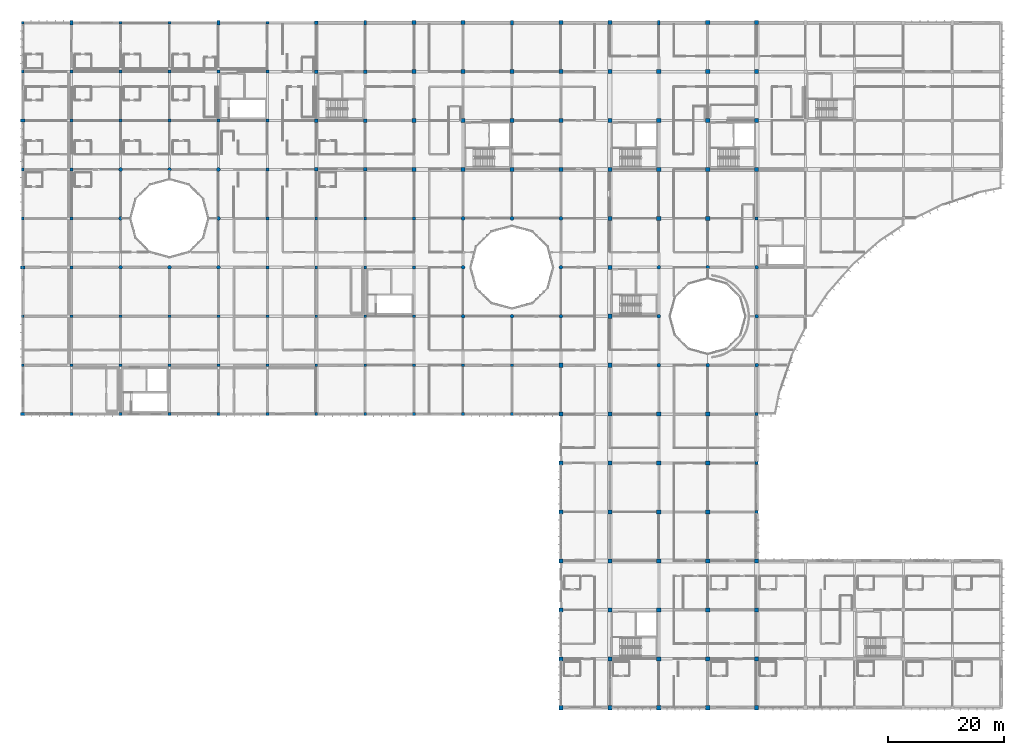
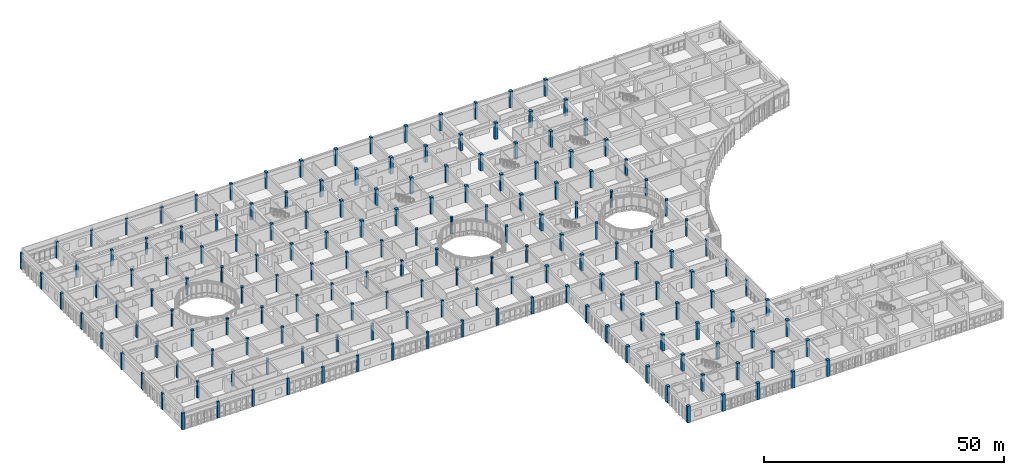
# One storey, part 1 of 119: 171 columns.
"""IFC4 building model written with IfcOpenShell, lengths in metres."""

from ifc_helpers import new_model, si_unit, direction, frame, origin, origin_2d, place, context, subcontext, project, spatial, rectangle, circle, extrude, material, material_profile, profile_set, type_object, element, save


model = new_model("IFC4")

# Units and contexts
model_context = context("Model", 3, precision=1e-05, world=origin(), true_north=direction((0.0, 1.0)))
body_context = subcontext(model_context, "Body", "Model", "MODEL_VIEW")
ifc_project = project(units=[si_unit("LENGTHUNIT", "METRE"), si_unit("AREAUNIT", "SQUARE_METRE"), si_unit("VOLUMEUNIT", "CUBIC_METRE"), si_unit("PLANEANGLEUNIT", "RADIAN"), si_unit("MASSUNIT", "GRAM", prefix="KILO")], contexts=[model_context])

# Site, building, storey
site_placement = place(None, origin())
site = spatial("IfcSite", under=ifc_project, at=site_placement, CompositionType="ELEMENT")
building_placement = place(site_placement, origin())
building = spatial("IfcBuilding", under=site, at=building_placement, Name="Bramfleet General Hospital", CompositionType="ELEMENT")
storey_placement = place(building_placement, frame((0.0, 0.0, 14.39990234375)))
storey = spatial("IfcBuildingStorey", under=building, at=storey_placement, Name="L03", CompositionType="ELEMENT", Elevation=14.39990234375)

# Columns
ifc_material = material(Name="Concrete C40/50", Category="concrete")
ifc_material_profile_1 = material_profile(ifc_material, rectangle(XDim=0.5, YDim=0.75, at=origin_2d()), Name="RC PIL 750x500")
ifc_profile_set_1 = profile_set([ifc_material_profile_1], Name="Concrete C40/50")
column_type_1 = type_object("IfcColumnType", Name="COL-PIL750", PredefinedType="PILASTER", material=ifc_profile_set_1)
for number, where, z_axis, x_axis, name in (
    (1, (0.0, 50.39990234375, 0.0), (0.0, 0.0, 1.0), (0.0, 1.0, 0.0), "Column COL-L03-00-06"),
    (2, (0.0, 75.60009765625, 0.0), (0.0, 0.0, 1.0), (0.0, 1.0, 0.0), "Column COL-L03-00-09"),
    (3, (0.0, 100.800048828125, 0.0), (0.0, 0.0, 1.0), (0.0, 1.0, 0.0), "Column COL-L03-00-12"),
    (4, (8.39990234375, 117.60009765625, 0.0), (0.0, 0.0, 1.0), (1.0, 0.0, 0.0), "Column COL-L03-01-14"),
    (5, (33.60009765625, 117.60009765625, 0.0), (0.0, 0.0, 1.0), (1.0, 0.0, 0.0), "Column COL-L03-04-14"),
    (6, (58.800048828125, 117.60009765625, 0.0), (0.0, 0.0, 1.0), (1.0, 0.0, 0.0), "Column COL-L03-07-14"),
    (7, (84.0, 117.60009765625, 0.0), (0.0, 0.0, 1.0), (1.0, 0.0, 0.0), "Column COL-L03-10-14"),
    (8, (109.199951171875, 117.60009765625, 0.0), (0.0, 0.0, 1.0), (1.0, 0.0, 0.0), "Column COL-L03-13-14"),
):
    element("IfcColumn", number, at=place(storey_placement, frame(where, z_axis=z_axis, x_axis=x_axis)), inside=storey, type_object=column_type_1, Name=name, PredefinedType="PILASTER", context=body_context, shape_type="SweptSolid", body=[
        extrude(rectangle(XDim=0.5, YDim=0.75, at=origin_2d()), origin(), (0.0, 0.0, 1.0), 4.2001953125),
    ])
ifc_material_profile_2 = material_profile(ifc_material, rectangle(XDim=0.5, YDim=0.5, at=origin_2d()), Name="RC COL 500x500")
ifc_profile_set_2 = profile_set([ifc_material_profile_2], Name="Concrete C40/50")
column_type_2 = type_object("IfcColumnType", Name="COL-RC500", PredefinedType="COLUMN", material=ifc_profile_set_2)
for number, where, z_axis, x_axis, name in (
    (9, (0.0, 58.800048828125, 0.0), (0.0, 0.0, 1.0), (1.0, 0.0, 0.0), "Column COL-L03-00-07"),
    (10, (0.0, 67.199951171875, 0.0), (0.0, 0.0, 1.0), (1.0, 0.0, 0.0), "Column COL-L03-00-08"),
    (11, (0.0, 84.0, 0.0), (0.0, 0.0, 1.0), (1.0, 0.0, 0.0), "Column COL-L03-00-10"),
    (12, (0.0, 92.39990234375, 0.0), (0.0, 0.0, 1.0), (1.0, 0.0, 0.0), "Column COL-L03-00-11"),
    (13, (0.0, 109.199951171875, 0.0), (0.0, 0.0, 1.0), (1.0, 0.0, 0.0), "Column COL-L03-00-13"),
    (14, (0.0, 117.60009765625, 0.0), (0.0, 0.0, 1.0), (1.0, 0.0, 0.0), "Column COL-L03-00-14"),
    (15, (8.39990234375, 50.39990234375, 0.0), (0.0, 0.0, 1.0), (1.0, 0.0, 0.0), "Column COL-L03-01-06"),
    (16, (8.39990234375, 58.800048828125, 0.0), (0.0, 0.0, 1.0), (1.0, 0.0, 0.0), "Column COL-L03-01-07"),
    (17, (8.39990234375, 67.199951171875, 0.0), (0.0, 0.0, 1.0), (1.0, 0.0, 0.0), "Column COL-L03-01-08"),
    (18, (8.39990234375, 75.60009765625, 0.0), (0.0, 0.0, 1.0), (1.0, 0.0, 0.0), "Column COL-L03-01-09"),
    (19, (8.39990234375, 84.0, 0.0), (0.0, 0.0, 1.0), (1.0, 0.0, 0.0), "Column COL-L03-01-10"),
    (20, (8.39990234375, 92.39990234375, 0.0), (0.0, 0.0, 1.0), (1.0, 0.0, 0.0), "Column COL-L03-01-11"),
    (21, (8.39990234375, 100.800048828125, 0.0), (0.0, 0.0, 1.0), (1.0, 0.0, 0.0), "Column COL-L03-01-12"),
    (22, (8.39990234375, 109.199951171875, 0.0), (0.0, 0.0, 1.0), (1.0, 0.0, 0.0), "Column COL-L03-01-13"),
    (23, (16.800048828125, 50.39990234375, 0.0), (0.0, 0.0, 1.0), (1.0, 0.0, 0.0), "Column COL-L03-02-06"),
    (24, (16.800048828125, 58.800048828125, 0.0), (0.0, 0.0, 1.0), (1.0, 0.0, 0.0), "Column COL-L03-02-07"),
    (25, (16.800048828125, 67.199951171875, 0.0), (0.0, 0.0, 1.0), (1.0, 0.0, 0.0), "Column COL-L03-02-08"),
    (26, (16.800048828125, 100.800048828125, 0.0), (0.0, 0.0, 1.0), (1.0, 0.0, 0.0), "Column COL-L03-02-12"),
    (27, (16.800048828125, 109.199951171875, 0.0), (0.0, 0.0, 1.0), (1.0, 0.0, 0.0), "Column COL-L03-02-13"),
    (28, (16.800048828125, 117.60009765625, 0.0), (0.0, 0.0, 1.0), (1.0, 0.0, 0.0), "Column COL-L03-02-14"),
    (29, (25.199951171875, 50.39990234375, 0.0), (0.0, 0.0, 1.0), (1.0, 0.0, 0.0), "Column COL-L03-03-06"),
    (30, (25.199951171875, 58.800048828125, 0.0), (0.0, 0.0, 1.0), (1.0, 0.0, 0.0), "Column COL-L03-03-07"),
    (31, (25.199951171875, 67.199951171875, 0.0), (0.0, 0.0, 1.0), (1.0, 0.0, 0.0), "Column COL-L03-03-08"),
    (32, (25.199951171875, 100.800048828125, 0.0), (0.0, 0.0, 1.0), (1.0, 0.0, 0.0), "Column COL-L03-03-12"),
    (33, (25.199951171875, 109.199951171875, 0.0), (0.0, 0.0, 1.0), (1.0, 0.0, 0.0), "Column COL-L03-03-13"),
    (34, (25.199951171875, 117.60009765625, 0.0), (0.0, 0.0, 1.0), (1.0, 0.0, 0.0), "Column COL-L03-03-14"),
    (35, (33.60009765625, 50.39990234375, 0.0), (0.0, 0.0, 1.0), (1.0, 0.0, 0.0), "Column COL-L03-04-06"),
    (36, (33.60009765625, 58.800048828125, 0.0), (0.0, 0.0, 1.0), (1.0, 0.0, 0.0), "Column COL-L03-04-07"),
    (37, (33.60009765625, 67.199951171875, 0.0), (0.0, 0.0, 1.0), (1.0, 0.0, 0.0), "Column COL-L03-04-08"),
    (38, (33.60009765625, 100.800048828125, 0.0), (0.0, 0.0, 1.0), (1.0, 0.0, 0.0), "Column COL-L03-04-12"),
    (39, (33.60009765625, 109.199951171875, 0.0), (0.0, 0.0, 1.0), (1.0, 0.0, 0.0), "Column COL-L03-04-13"),
    (40, (42.0, 50.39990234375, 0.0), (0.0, 0.0, 1.0), (1.0, 0.0, 0.0), "Column COL-L03-05-06"),
    (41, (42.0, 58.800048828125, 0.0), (0.0, 0.0, 1.0), (1.0, 0.0, 0.0), "Column COL-L03-05-07"),
    (42, (42.0, 67.199951171875, 0.0), (0.0, 0.0, 1.0), (1.0, 0.0, 0.0), "Column COL-L03-05-08"),
    (43, (42.0, 75.60009765625, 0.0), (0.0, 0.0, 1.0), (1.0, 0.0, 0.0), "Column COL-L03-05-09"),
    (44, (42.0, 84.0, 0.0), (0.0, 0.0, 1.0), (1.0, 0.0, 0.0), "Column COL-L03-05-10"),
    (45, (42.0, 92.39990234375, 0.0), (0.0, 0.0, 1.0), (1.0, 0.0, 0.0), "Column COL-L03-05-11"),
    (46, (42.0, 100.800048828125, 0.0), (0.0, 0.0, 1.0), (1.0, 0.0, 0.0), "Column COL-L03-05-12"),
    (47, (42.0, 109.199951171875, 0.0), (0.0, 0.0, 1.0), (1.0, 0.0, 0.0), "Column COL-L03-05-13"),
    (48, (42.0, 117.60009765625, 0.0), (0.0, 0.0, 1.0), (1.0, 0.0, 0.0), "Column COL-L03-05-14"),
    (49, (50.39990234375, 50.39990234375, 0.0), (0.0, 0.0, 1.0), (1.0, 0.0, 0.0), "Column COL-L03-06-06"),
    (50, (50.39990234375, 58.800048828125, 0.0), (0.0, 0.0, 1.0), (1.0, 0.0, 0.0), "Column COL-L03-06-07"),
    (51, (50.39990234375, 67.199951171875, 0.0), (0.0, 0.0, 1.0), (1.0, 0.0, 0.0), "Column COL-L03-06-08"),
    (52, (50.39990234375, 75.60009765625, 0.0), (0.0, 0.0, 1.0), (1.0, 0.0, 0.0), "Column COL-L03-06-09"),
    (53, (50.39990234375, 84.0, 0.0), (0.0, 0.0, 1.0), (1.0, 0.0, 0.0), "Column COL-L03-06-10"),
    (54, (58.800048828125, 50.39990234375, 0.0), (0.0, 0.0, 1.0), (1.0, 0.0, 0.0), "Column COL-L03-07-06"),
    (55, (58.800048828125, 58.800048828125, 0.0), (0.0, 0.0, 1.0), (1.0, 0.0, 0.0), "Column COL-L03-07-07"),
    (56, (58.800048828125, 67.199951171875, 0.0), (0.0, 0.0, 1.0), (1.0, 0.0, 0.0), "Column COL-L03-07-08"),
    (57, (58.800048828125, 75.60009765625, 0.0), (0.0, 0.0, 1.0), (1.0, 0.0, 0.0), "Column COL-L03-07-09"),
    (58, (58.800048828125, 84.0, 0.0), (0.0, 0.0, 1.0), (1.0, 0.0, 0.0), "Column COL-L03-07-10"),
    (59, (67.199951171875, 50.39990234375, 0.0), (0.0, 0.0, 1.0), (1.0, 0.0, 0.0), "Column COL-L03-08-06"),
    (60, (67.199951171875, 58.800048828125, 0.0), (0.0, 0.0, 1.0), (1.0, 0.0, 0.0), "Column COL-L03-08-07"),
    (61, (67.199951171875, 67.199951171875, 0.0), (0.0, 0.0, 1.0), (1.0, 0.0, 0.0), "Column COL-L03-08-08"),
    (62, (67.199951171875, 75.60009765625, 0.0), (0.0, 0.0, 1.0), (1.0, 0.0, 0.0), "Column COL-L03-08-09"),
    (63, (67.199951171875, 84.0, 0.0), (0.0, 0.0, 1.0), (1.0, 0.0, 0.0), "Column COL-L03-08-10"),
    (64, (75.60009765625, 50.39990234375, 0.0), (0.0, 0.0, 1.0), (1.0, 0.0, 0.0), "Column COL-L03-09-06"),
    (65, (75.60009765625, 58.800048828125, 0.0), (0.0, 0.0, 1.0), (1.0, 0.0, 0.0), "Column COL-L03-09-07"),
    (66, (84.0, 50.39990234375, 0.0), (0.0, 0.0, 1.0), (1.0, 0.0, 0.0), "Column COL-L03-10-06"),
    (67, (84.0, 58.800048828125, 0.0), (0.0, 0.0, 1.0), (1.0, 0.0, 0.0), "Column COL-L03-10-07"),
    (68, (126.0, 33.60009765625, 0.0), (0.0, 0.0, 1.0), (1.0, 0.0, 0.0), "Column COL-L03-15-04"),
    (69, (126.0, 42.0, 0.0), (0.0, 0.0, 1.0), (1.0, 0.0, 0.0), "Column COL-L03-15-05"),
    (70, (126.0, 50.39990234375, 0.0), (0.0, 0.0, 1.0), (1.0, 0.0, 0.0), "Column COL-L03-15-06"),
    (71, (126.0, 84.0, 0.0), (0.0, 0.0, 1.0), (1.0, 0.0, 0.0), "Column COL-L03-15-10"),
):
    element("IfcColumn", number, at=place(storey_placement, frame(where, z_axis=z_axis, x_axis=x_axis)), inside=storey, type_object=column_type_2, Name=name, PredefinedType="COLUMN", context=body_context, shape_type="SweptSolid", body=[
        extrude(rectangle(XDim=0.5, YDim=0.5, at=origin_2d()), origin(), (0.0, 0.0, 1.0), 4.2001953125),
    ])
ifc_material_profile_3 = material_profile(ifc_material, rectangle(XDim=0.60009765625, YDim=0.60009765625, at=origin_2d()), Name="RC COL 600x600")
ifc_profile_set_3 = profile_set([ifc_material_profile_3], Name="Concrete C40/50")
column_type_3 = type_object("IfcColumnType", Name="COL-RC600", PredefinedType="COLUMN", material=ifc_profile_set_3)
for number, where, z_axis, x_axis, name in (
    (72, (50.39990234375, 92.39990234375, 0.0), (0.0, 0.0, 1.0), (1.0, 0.0, 0.0), "Column COL-L03-06-11"),
    (73, (50.39990234375, 100.800048828125, 0.0), (0.0, 0.0, 1.0), (1.0, 0.0, 0.0), "Column COL-L03-06-12"),
    (74, (50.39990234375, 109.199951171875, 0.0), (0.0, 0.0, 1.0), (1.0, 0.0, 0.0), "Column COL-L03-06-13"),
    (75, (50.39990234375, 117.60009765625, 0.0), (0.0, 0.0, 1.0), (1.0, 0.0, 0.0), "Column COL-L03-06-14"),
    (76, (58.800048828125, 92.39990234375, 0.0), (0.0, 0.0, 1.0), (1.0, 0.0, 0.0), "Column COL-L03-07-11"),
    (77, (58.800048828125, 100.800048828125, 0.0), (0.0, 0.0, 1.0), (1.0, 0.0, 0.0), "Column COL-L03-07-12"),
    (78, (58.800048828125, 109.199951171875, 0.0), (0.0, 0.0, 1.0), (1.0, 0.0, 0.0), "Column COL-L03-07-13"),
):
    element("IfcColumn", number, at=place(storey_placement, frame(where, z_axis=z_axis, x_axis=x_axis)), inside=storey, type_object=column_type_3, Name=name, PredefinedType="COLUMN", context=body_context, shape_type="SweptSolid", body=[
        extrude(rectangle(XDim=0.60009765625, YDim=0.60009765625, at=origin_2d()), origin(), (0.0, 0.0, 1.0), 4.2001953125),
    ])
ifc_material_profile_4 = material_profile(ifc_material, rectangle(XDim=0.699951171875, YDim=0.699951171875, at=origin_2d()), Name="RC COL 700x700")
ifc_profile_set_4 = profile_set([ifc_material_profile_4], Name="Concrete C40/50")
column_type_4 = type_object("IfcColumnType", Name="COL-RC700", PredefinedType="COLUMN", material=ifc_profile_set_4)
for number, where, z_axis, x_axis, name in (
    (79, (67.199951171875, 92.39990234375, 0.0), (0.0, 0.0, 1.0), (1.0, 0.0, 0.0), "Column COL-L03-08-11"),
    (80, (67.199951171875, 100.800048828125, 0.0), (0.0, 0.0, 1.0), (1.0, 0.0, 0.0), "Column COL-L03-08-12"),
    (81, (67.199951171875, 109.199951171875, 0.0), (0.0, 0.0, 1.0), (1.0, 0.0, 0.0), "Column COL-L03-08-13"),
    (82, (67.199951171875, 117.60009765625, 0.0), (0.0, 0.0, 1.0), (1.0, 0.0, 0.0), "Column COL-L03-08-14"),
    (83, (75.60009765625, 92.39990234375, 0.0), (0.0, 0.0, 1.0), (1.0, 0.0, 0.0), "Column COL-L03-09-11"),
    (84, (75.60009765625, 100.800048828125, 0.0), (0.0, 0.0, 1.0), (1.0, 0.0, 0.0), "Column COL-L03-09-12"),
    (85, (75.60009765625, 109.199951171875, 0.0), (0.0, 0.0, 1.0), (1.0, 0.0, 0.0), "Column COL-L03-09-13"),
    (86, (75.60009765625, 117.60009765625, 0.0), (0.0, 0.0, 1.0), (1.0, 0.0, 0.0), "Column COL-L03-09-14"),
    (87, (84.0, 92.39990234375, 0.0), (0.0, 0.0, 1.0), (1.0, 0.0, 0.0), "Column COL-L03-10-11"),
    (88, (84.0, 100.800048828125, 0.0), (0.0, 0.0, 1.0), (1.0, 0.0, 0.0), "Column COL-L03-10-12"),
    (89, (84.0, 109.199951171875, 0.0), (0.0, 0.0, 1.0), (1.0, 0.0, 0.0), "Column COL-L03-10-13"),
    (90, (92.39990234375, 0.0, 0.0), (0.0, 0.0, 1.0), (1.0, 0.0, 0.0), "Column COL-L03-11-00"),
    (91, (92.39990234375, 8.39990234375, 0.0), (0.0, 0.0, 1.0), (1.0, 0.0, 0.0), "Column COL-L03-11-01"),
    (92, (92.39990234375, 16.800048828125, 0.0), (0.0, 0.0, 1.0), (1.0, 0.0, 0.0), "Column COL-L03-11-02"),
    (93, (92.39990234375, 25.199951171875, 0.0), (0.0, 0.0, 1.0), (1.0, 0.0, 0.0), "Column COL-L03-11-03"),
    (94, (92.39990234375, 33.60009765625, 0.0), (0.0, 0.0, 1.0), (1.0, 0.0, 0.0), "Column COL-L03-11-04"),
    (95, (92.39990234375, 42.0, 0.0), (0.0, 0.0, 1.0), (1.0, 0.0, 0.0), "Column COL-L03-11-05"),
    (96, (92.39990234375, 50.39990234375, 0.0), (0.0, 0.0, 1.0), (1.0, 0.0, 0.0), "Column COL-L03-11-06"),
    (97, (92.39990234375, 58.800048828125, 0.0), (0.0, 0.0, 1.0), (1.0, 0.0, 0.0), "Column COL-L03-11-07"),
    (98, (92.39990234375, 92.39990234375, 0.0), (0.0, 0.0, 1.0), (1.0, 0.0, 0.0), "Column COL-L03-11-11"),
    (99, (92.39990234375, 100.800048828125, 0.0), (0.0, 0.0, 1.0), (1.0, 0.0, 0.0), "Column COL-L03-11-12"),
    (100, (92.39990234375, 109.199951171875, 0.0), (0.0, 0.0, 1.0), (1.0, 0.0, 0.0), "Column COL-L03-11-13"),
    (101, (92.39990234375, 117.60009765625, 0.0), (0.0, 0.0, 1.0), (1.0, 0.0, 0.0), "Column COL-L03-11-14"),
    (102, (100.800048828125, 0.0, 0.0), (0.0, 0.0, 1.0), (1.0, 0.0, 0.0), "Column COL-L03-12-00"),
    (103, (100.800048828125, 8.39990234375, 0.0), (0.0, 0.0, 1.0), (1.0, 0.0, 0.0), "Column COL-L03-12-01"),
    (104, (100.800048828125, 16.800048828125, 0.0), (0.0, 0.0, 1.0), (1.0, 0.0, 0.0), "Column COL-L03-12-02"),
    (105, (100.800048828125, 25.199951171875, 0.0), (0.0, 0.0, 1.0), (1.0, 0.0, 0.0), "Column COL-L03-12-03"),
    (106, (100.800048828125, 33.60009765625, 0.0), (0.0, 0.0, 1.0), (1.0, 0.0, 0.0), "Column COL-L03-12-04"),
    (107, (100.800048828125, 42.0, 0.0), (0.0, 0.0, 1.0), (1.0, 0.0, 0.0), "Column COL-L03-12-05"),
    (108, (100.800048828125, 50.39990234375, 0.0), (0.0, 0.0, 1.0), (1.0, 0.0, 0.0), "Column COL-L03-12-06"),
    (109, (100.800048828125, 58.800048828125, 0.0), (0.0, 0.0, 1.0), (1.0, 0.0, 0.0), "Column COL-L03-12-07"),
    (110, (100.800048828125, 67.199951171875, 0.0), (0.0, 0.0, 1.0), (1.0, 0.0, 0.0), "Column COL-L03-12-08"),
    (111, (100.800048828125, 75.60009765625, 0.0), (0.0, 0.0, 1.0), (1.0, 0.0, 0.0), "Column COL-L03-12-09"),
    (112, (100.800048828125, 84.0, 0.0), (0.0, 0.0, 1.0), (1.0, 0.0, 0.0), "Column COL-L03-12-10"),
    (113, (100.800048828125, 92.39990234375, 0.0), (0.0, 0.0, 1.0), (1.0, 0.0, 0.0), "Column COL-L03-12-11"),
    (114, (100.800048828125, 100.800048828125, 0.0), (0.0, 0.0, 1.0), (1.0, 0.0, 0.0), "Column COL-L03-12-12"),
    (115, (100.800048828125, 109.199951171875, 0.0), (0.0, 0.0, 1.0), (1.0, 0.0, 0.0), "Column COL-L03-12-13"),
    (116, (100.800048828125, 117.60009765625, 0.0), (0.0, 0.0, 1.0), (1.0, 0.0, 0.0), "Column COL-L03-12-14"),
    (117, (109.199951171875, 0.0, 0.0), (0.0, 0.0, 1.0), (1.0, 0.0, 0.0), "Column COL-L03-13-00"),
    (118, (109.199951171875, 8.39990234375, 0.0), (0.0, 0.0, 1.0), (1.0, 0.0, 0.0), "Column COL-L03-13-01"),
    (119, (109.199951171875, 16.800048828125, 0.0), (0.0, 0.0, 1.0), (1.0, 0.0, 0.0), "Column COL-L03-13-02"),
    (120, (109.199951171875, 25.199951171875, 0.0), (0.0, 0.0, 1.0), (1.0, 0.0, 0.0), "Column COL-L03-13-03"),
    (121, (109.199951171875, 33.60009765625, 0.0), (0.0, 0.0, 1.0), (1.0, 0.0, 0.0), "Column COL-L03-13-04"),
    (122, (109.199951171875, 42.0, 0.0), (0.0, 0.0, 1.0), (1.0, 0.0, 0.0), "Column COL-L03-13-05"),
    (123, (109.199951171875, 50.39990234375, 0.0), (0.0, 0.0, 1.0), (1.0, 0.0, 0.0), "Column COL-L03-13-06"),
    (124, (109.199951171875, 84.0, 0.0), (0.0, 0.0, 1.0), (1.0, 0.0, 0.0), "Column COL-L03-13-10"),
    (125, (109.199951171875, 92.39990234375, 0.0), (0.0, 0.0, 1.0), (1.0, 0.0, 0.0), "Column COL-L03-13-11"),
    (126, (109.199951171875, 100.800048828125, 0.0), (0.0, 0.0, 1.0), (1.0, 0.0, 0.0), "Column COL-L03-13-12"),
    (127, (109.199951171875, 109.199951171875, 0.0), (0.0, 0.0, 1.0), (1.0, 0.0, 0.0), "Column COL-L03-13-13"),
    (128, (117.60009765625, 0.0, 0.0), (0.0, 0.0, 1.0), (1.0, 0.0, 0.0), "Column COL-L03-14-00"),
    (129, (117.60009765625, 8.39990234375, 0.0), (0.0, 0.0, 1.0), (1.0, 0.0, 0.0), "Column COL-L03-14-01"),
    (130, (117.60009765625, 16.800048828125, 0.0), (0.0, 0.0, 1.0), (1.0, 0.0, 0.0), "Column COL-L03-14-02"),
    (131, (117.60009765625, 25.199951171875, 0.0), (0.0, 0.0, 1.0), (1.0, 0.0, 0.0), "Column COL-L03-14-03"),
    (132, (117.60009765625, 33.60009765625, 0.0), (0.0, 0.0, 1.0), (1.0, 0.0, 0.0), "Column COL-L03-14-04"),
    (133, (117.60009765625, 42.0, 0.0), (0.0, 0.0, 1.0), (1.0, 0.0, 0.0), "Column COL-L03-14-05"),
    (134, (117.60009765625, 50.39990234375, 0.0), (0.0, 0.0, 1.0), (1.0, 0.0, 0.0), "Column COL-L03-14-06"),
    (135, (117.60009765625, 84.0, 0.0), (0.0, 0.0, 1.0), (1.0, 0.0, 0.0), "Column COL-L03-14-10"),
    (136, (117.60009765625, 92.39990234375, 0.0), (0.0, 0.0, 1.0), (1.0, 0.0, 0.0), "Column COL-L03-14-11"),
    (137, (117.60009765625, 100.800048828125, 0.0), (0.0, 0.0, 1.0), (1.0, 0.0, 0.0), "Column COL-L03-14-12"),
    (138, (117.60009765625, 109.199951171875, 0.0), (0.0, 0.0, 1.0), (1.0, 0.0, 0.0), "Column COL-L03-14-13"),
    (139, (117.60009765625, 117.60009765625, 0.0), (0.0, 0.0, 1.0), (1.0, 0.0, 0.0), "Column COL-L03-14-14"),
    (140, (126.0, 0.0, 0.0), (0.0, 0.0, 1.0), (1.0, 0.0, 0.0), "Column COL-L03-15-00"),
    (141, (126.0, 8.39990234375, 0.0), (0.0, 0.0, 1.0), (1.0, 0.0, 0.0), "Column COL-L03-15-01"),
    (142, (126.0, 16.800048828125, 0.0), (0.0, 0.0, 1.0), (1.0, 0.0, 0.0), "Column COL-L03-15-02"),
    (143, (126.0, 25.199951171875, 0.0), (0.0, 0.0, 1.0), (1.0, 0.0, 0.0), "Column COL-L03-15-03"),
    (144, (126.0, 92.39990234375, 0.0), (0.0, 0.0, 1.0), (1.0, 0.0, 0.0), "Column COL-L03-15-11"),
    (145, (126.0, 100.800048828125, 0.0), (0.0, 0.0, 1.0), (1.0, 0.0, 0.0), "Column COL-L03-15-12"),
    (146, (126.0, 109.199951171875, 0.0), (0.0, 0.0, 1.0), (1.0, 0.0, 0.0), "Column COL-L03-15-13"),
    (147, (126.0, 117.60009765625, 0.0), (0.0, 0.0, 1.0), (1.0, 0.0, 0.0), "Column COL-L03-15-14"),
):
    element("IfcColumn", number, at=place(storey_placement, frame(where, z_axis=z_axis, x_axis=x_axis)), inside=storey, type_object=column_type_4, Name=name, PredefinedType="COLUMN", context=body_context, shape_type="SweptSolid", body=[
        extrude(rectangle(XDim=0.699951171875, YDim=0.699951171875, at=origin_2d()), origin(), (0.0, 0.0, 1.0), 4.2001953125),
    ])
ifc_material_profile_5 = material_profile(ifc_material, circle(Radius=0.324951171875, at=origin_2d()), Name="RC ROUND D650")
ifc_profile_set_5 = profile_set([ifc_material_profile_5], Name="Concrete C40/50")
column_type_5 = type_object("IfcColumnType", Name="COL-RCD650", PredefinedType="COLUMN", material=ifc_profile_set_5)
for number, where, z_axis, x_axis, name in (
    (148, (16.800048828125, 75.60009765625, 0.0), (0.0, 0.0, 1.0), (1.0, 0.0, 0.0), "Column COL-L03-02-09"),
    (149, (16.800048828125, 84.0, 0.0), (0.0, 0.0, 1.0), (1.0, 0.0, 0.0), "Column COL-L03-02-10"),
    (150, (16.800048828125, 92.39990234375, 0.0), (0.0, 0.0, 1.0), (1.0, 0.0, 0.0), "Column COL-L03-02-11"),
    (151, (25.199951171875, 75.60009765625, 0.0), (0.0, 0.0, 1.0), (1.0, 0.0, 0.0), "Column COL-L03-03-09"),
    (152, (25.199951171875, 92.39990234375, 0.0), (0.0, 0.0, 1.0), (1.0, 0.0, 0.0), "Column COL-L03-03-11"),
    (153, (33.60009765625, 75.60009765625, 0.0), (0.0, 0.0, 1.0), (1.0, 0.0, 0.0), "Column COL-L03-04-09"),
    (154, (33.60009765625, 84.0, 0.0), (0.0, 0.0, 1.0), (1.0, 0.0, 0.0), "Column COL-L03-04-10"),
    (155, (33.60009765625, 92.39990234375, 0.0), (0.0, 0.0, 1.0), (1.0, 0.0, 0.0), "Column COL-L03-04-11"),
    (156, (75.60009765625, 67.199951171875, 0.0), (0.0, 0.0, 1.0), (1.0, 0.0, 0.0), "Column COL-L03-09-08"),
    (157, (75.60009765625, 75.60009765625, 0.0), (0.0, 0.0, 1.0), (1.0, 0.0, 0.0), "Column COL-L03-09-09"),
    (158, (75.60009765625, 84.0, 0.0), (0.0, 0.0, 1.0), (1.0, 0.0, 0.0), "Column COL-L03-09-10"),
    (159, (84.0, 67.199951171875, 0.0), (0.0, 0.0, 1.0), (1.0, 0.0, 0.0), "Column COL-L03-10-08"),
    (160, (84.0, 84.0, 0.0), (0.0, 0.0, 1.0), (1.0, 0.0, 0.0), "Column COL-L03-10-10"),
    (161, (92.39990234375, 67.199951171875, 0.0), (0.0, 0.0, 1.0), (1.0, 0.0, 0.0), "Column COL-L03-11-08"),
    (162, (92.39990234375, 75.60009765625, 0.0), (0.0, 0.0, 1.0), (1.0, 0.0, 0.0), "Column COL-L03-11-09"),
    (163, (92.39990234375, 84.0, 0.0), (0.0, 0.0, 1.0), (1.0, 0.0, 0.0), "Column COL-L03-11-10"),
    (164, (109.199951171875, 58.800048828125, 0.0), (0.0, 0.0, 1.0), (1.0, 0.0, 0.0), "Column COL-L03-13-07"),
    (165, (109.199951171875, 67.199951171875, 0.0), (0.0, 0.0, 1.0), (1.0, 0.0, 0.0), "Column COL-L03-13-08"),
    (166, (109.199951171875, 75.60009765625, 0.0), (0.0, 0.0, 1.0), (1.0, 0.0, 0.0), "Column COL-L03-13-09"),
    (167, (117.60009765625, 58.800048828125, 0.0), (0.0, 0.0, 1.0), (1.0, 0.0, 0.0), "Column COL-L03-14-07"),
    (168, (117.60009765625, 75.60009765625, 0.0), (0.0, 0.0, 1.0), (1.0, 0.0, 0.0), "Column COL-L03-14-09"),
    (169, (126.0, 58.800048828125, 0.0), (0.0, 0.0, 1.0), (1.0, 0.0, 0.0), "Column COL-L03-15-07"),
    (170, (126.0, 67.199951171875, 0.0), (0.0, 0.0, 1.0), (1.0, 0.0, 0.0), "Column COL-L03-15-08"),
    (171, (126.0, 75.60009765625, 0.0), (0.0, 0.0, 1.0), (1.0, 0.0, 0.0), "Column COL-L03-15-09"),
):
    element("IfcColumn", number, at=place(storey_placement, frame(where, z_axis=z_axis, x_axis=x_axis)), inside=storey, type_object=column_type_5, Name=name, PredefinedType="COLUMN", context=body_context, shape_type="SweptSolid", body=[
        extrude(circle(Radius=0.324951171875, at=origin_2d()), origin(), (0.0, 0.0, 1.0), 4.2001953125),
    ])

save(model, "model.ifc")
